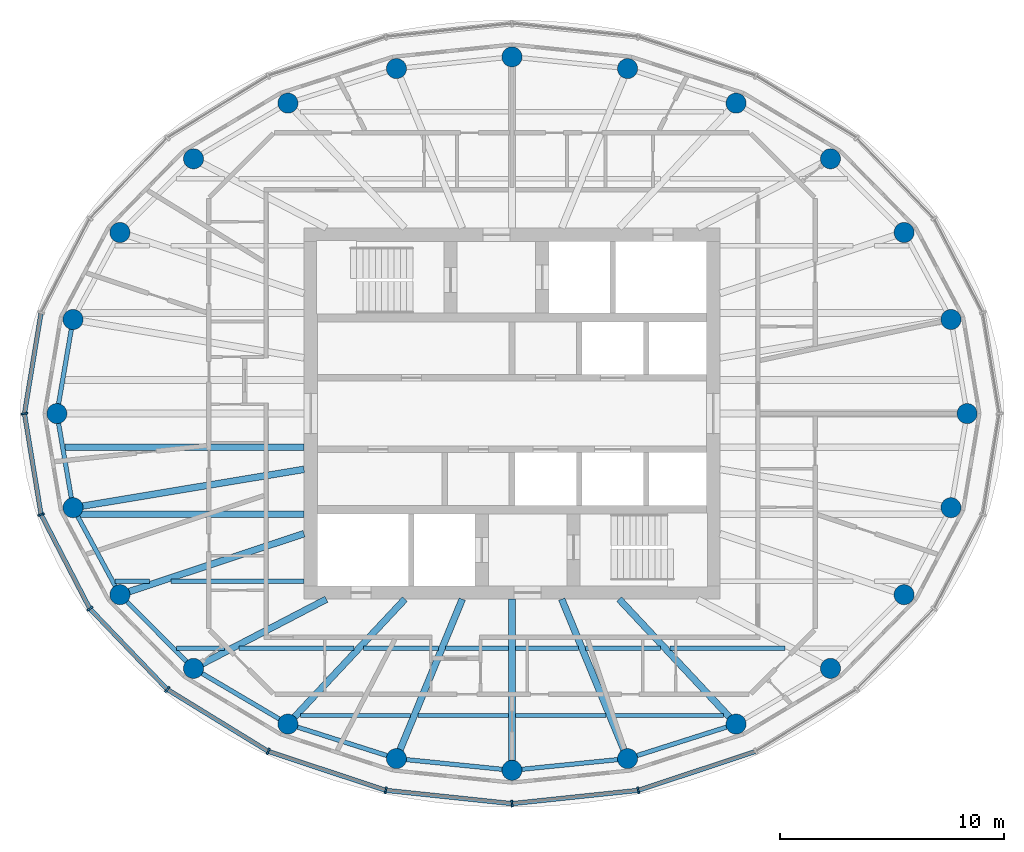
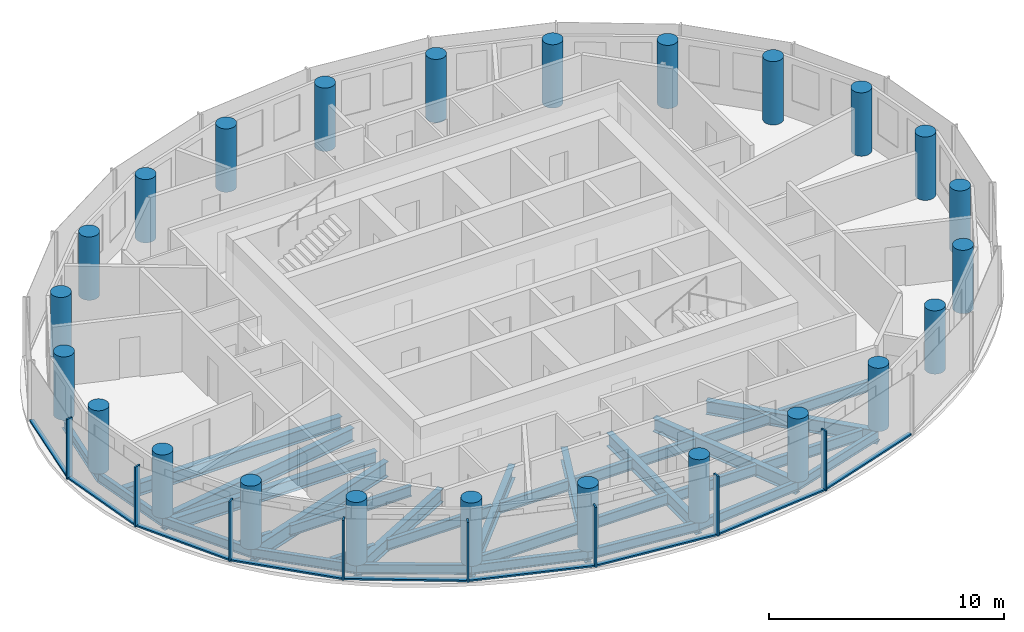
# One storey, part 1 of 11: 32 beams, 24 columns, 17 members, 3 elements without a shape of their own.
"""IFC4 building model written with IfcOpenShell, lengths in metres."""

from ifc_helpers import new_model, si_unit, direction, frame, origin, origin_2d, place, context, subcontext, project, spatial, rectangle, circle, i_section, extrude, material, material_profile, profile_set, type_object, element, aggregate, save


model = new_model("IFC4")

# Units and contexts
model_context = context("Model", 3, precision=1e-05, world=origin(), true_north=direction((0.0, 1.0)))
body_context = subcontext(model_context, "Body", "Model", "MODEL_VIEW")
ifc_project = project(units=[si_unit("LENGTHUNIT", "METRE"), si_unit("AREAUNIT", "SQUARE_METRE"), si_unit("VOLUMEUNIT", "CUBIC_METRE"), si_unit("PLANEANGLEUNIT", "RADIAN"), si_unit("MASSUNIT", "GRAM", prefix="KILO")], contexts=[model_context])

# Site, building, storey
site_placement = place(None, origin())
site = spatial("IfcSite", under=ifc_project, at=site_placement, CompositionType="ELEMENT")
building_placement = place(site_placement, origin())
building = spatial("IfcBuilding", under=site, at=building_placement, Name="Hankou Lantern Tower", CompositionType="ELEMENT")
storey_placement = place(building_placement, frame((0.0, 0.0, 202.800048828125)))
storey = spatial("IfcBuildingStorey", under=building, at=storey_placement, Name="L54", CompositionType="ELEMENT", Elevation=202.800048828125)

# Columns
ifc_material_1 = material(Name="Concrete C50", Category="concrete")
ifc_material_profile_1 = material_profile(ifc_material_1, circle(Radius=0.449951171875, at=origin_2d()), Name="RC D900")
ifc_profile_set_1 = profile_set([ifc_material_profile_1], Name="Concrete C50")
column_type = type_object("IfcColumnType", Name="TC5 PERIMETER COLUMN RC D900", PredefinedType="COLUMN", material=ifc_profile_set_1)
for number, where, z_axis, x_axis, name in (
    (1, (20.35009765625, 0.0, 0.0), (0.0, 0.0, 1.0), (1.0, 0.0, 0.0), "Column R01 L54"),
    (2, (19.629150390625, 4.207763671875, 0.0), (0.0, 0.0, 1.0), (1.0, 0.0, 0.0), "Column R02 L54"),
    (3, (17.5322265625, 8.097900390625, 0.0), (0.0, 0.0, 1.0), (1.0, 0.0, 0.0), "Column R03 L54"),
    (4, (14.241455078125, 11.393310546875, 0.0), (0.0, 0.0, 1.0), (1.0, 0.0, 0.0), "Column R04 L54"),
    (5, (10.01904296875, 13.8828125, 0.0), (0.0, 0.0, 1.0), (1.0, 0.0, 0.0), "Column R05 L54"),
    (6, (5.167236328125, 15.42724609375, 0.0), (0.0, 0.0, 1.0), (1.0, 0.0, 0.0), "Column R06 L54"),
    (7, (0.0, 15.949951171875, 0.0), (0.0, 0.0, 1.0), (1.0, 0.0, 0.0), "Column R07 L54"),
    (8, (-5.167236328125, 15.42724609375, 0.0), (0.0, 0.0, 1.0), (1.0, 0.0, 0.0), "Column R08 L54"),
    (9, (-10.01904296875, 13.8828125, 0.0), (0.0, 0.0, 1.0), (1.0, 0.0, 0.0), "Column R09 L54"),
    (10, (-14.241455078125, 11.393310546875, 0.0), (0.0, 0.0, 1.0), (1.0, 0.0, 0.0), "Column R10 L54"),
    (11, (-17.5322265625, 8.097900390625, 0.0), (0.0, 0.0, 1.0), (1.0, 0.0, 0.0), "Column R11 L54"),
    (12, (-19.629150390625, 4.207763671875, 0.0), (0.0, 0.0, 1.0), (1.0, 0.0, 0.0), "Column R12 L54"),
    (13, (-20.35009765625, 0.0, 0.0), (0.0, 0.0, 1.0), (1.0, 0.0, 0.0), "Column R13 L54"),
    (14, (-19.629150390625, -4.207763671875, 0.0), (0.0, 0.0, 1.0), (1.0, 0.0, 0.0), "Column R14 L54"),
    (15, (-17.5322265625, -8.097900390625, 0.0), (0.0, 0.0, 1.0), (1.0, 0.0, 0.0), "Column R15 L54"),
    (16, (-14.241455078125, -11.393310546875, 0.0), (0.0, 0.0, 1.0), (1.0, 0.0, 0.0), "Column R16 L54"),
    (17, (-10.01904296875, -13.8828125, 0.0), (0.0, 0.0, 1.0), (1.0, 0.0, 0.0), "Column R17 L54"),
    (18, (-5.167236328125, -15.42724609375, 0.0), (0.0, 0.0, 1.0), (1.0, 0.0, 0.0), "Column R18 L54"),
    (19, (0.0, -15.949951171875, 0.0), (0.0, 0.0, 1.0), (1.0, 0.0, 0.0), "Column R19 L54"),
    (20, (5.167236328125, -15.42724609375, 0.0), (0.0, 0.0, 1.0), (1.0, 0.0, 0.0), "Column R20 L54"),
    (21, (10.01904296875, -13.8828125, 0.0), (0.0, 0.0, 1.0), (1.0, 0.0, 0.0), "Column R21 L54"),
    (22, (14.241455078125, -11.393310546875, 0.0), (0.0, 0.0, 1.0), (1.0, 0.0, 0.0), "Column R22 L54"),
    (23, (17.5322265625, -8.097900390625, 0.0), (0.0, 0.0, 1.0), (1.0, 0.0, 0.0), "Column R23 L54"),
    (24, (19.629150390625, -4.207763671875, 0.0), (0.0, 0.0, 1.0), (1.0, 0.0, 0.0), "Column R24 L54"),
):
    element("IfcColumn", number, at=place(storey_placement, frame(where, z_axis=z_axis, x_axis=x_axis)), inside=storey, type_object=column_type, Name=name, PredefinedType="COLUMN", context=body_context, shape_type="SweptSolid", body=[
        extrude(circle(Radius=0.449951171875, at=origin_2d()), origin(), (0.0, 0.0, 1.0), 3.300048828125),
    ])

# Beams
ifc_material_2 = material(Name="Steel Q355B", Category="steel")
ifc_material_profile_2 = material_profile(ifc_material_2, i_section(OverallWidth=0.199951171875, OverallDepth=0.5, WebThickness=0.010009765625, FlangeThickness=0.01611328125, FilletRadius=0.012939453125, at=origin_2d()), Name="HN500x200x10x16")
ifc_profile_set_2 = profile_set([ifc_material_profile_2], Name="Steel Q355B")
beam_type_1 = type_object("IfcBeamType", Name="EB5 RING BEAM HN500x200x10x16", PredefinedType="SPANDREL", material=ifc_profile_set_2)
for number, where, z_axis, x_axis, name in (
    (25, (-19.629150390625, 4.207763671875, -0.429931640625), (-0.168876512999, -0.98563721691, 0.0), (0.98563721691, -0.168876512999, 0.0), "Ring beam R12-R13 L54"),
    (26, (-20.35009765625, 0.0, -0.429931640625), (0.168876512999, -0.98563721691, 0.0), (0.98563721691, 0.168876512999, 0.0), "Ring beam R13-R14 L54"),
):
    element("IfcBeam", number, at=place(storey_placement, frame(where, z_axis=z_axis, x_axis=x_axis)), inside=storey, type_object=beam_type_1, Name=name, PredefinedType="SPANDREL", context=body_context, shape_type="SweptSolid", body=[
        extrude(i_section(OverallWidth=0.199951171875, OverallDepth=0.5, WebThickness=0.010009765625, FlangeThickness=0.01611328125, FilletRadius=0.012939453125, at=origin_2d()), origin(), (0.0, 0.0, 1.0), 4.26904296875),
    ])
beam_1_placement = place(storey_placement, frame((-19.629150390625, -4.207763671875, -0.429931640625), z_axis=(0.474491806611, -0.880259919262, 0.0), x_axis=(0.880259919262, 0.474491806611, 0.0)))
element("IfcBeam", 27, at=beam_1_placement, inside=storey, type_object=beam_type_1, Name="Ring beam R14-R15 L54", PredefinedType="SPANDREL", context=body_context, shape_type="SweptSolid", body=[
    extrude(i_section(OverallWidth=0.199951171875, OverallDepth=0.5, WebThickness=0.010009765625, FlangeThickness=0.01611328125, FilletRadius=0.012939453125, at=origin_2d()), origin(), (0.0, 0.0, 1.0), 4.419189453125),
])
beam_2_placement = place(storey_placement, frame((-17.5322265625, -8.097900390625, -0.429931640625), z_axis=(0.706608588034, -0.707604623583, 0.0), x_axis=(0.707604623583, 0.706608588034, 0.0)))
element("IfcBeam", 28, at=beam_2_placement, inside=storey, type_object=beam_type_1, Name="Ring beam R15-R16 L54", PredefinedType="SPANDREL", context=body_context, shape_type="SweptSolid", body=[
    extrude(i_section(OverallWidth=0.199951171875, OverallDepth=0.5, WebThickness=0.010009765625, FlangeThickness=0.01611328125, FilletRadius=0.012939453125, at=origin_2d()), origin(), (0.0, 0.0, 1.0), 4.6572265625),
])
beam_3_placement = place(storey_placement, frame((-14.241455078125, -11.393310546875, -0.429931640625), z_axis=(0.861422897323, -0.507888365655, 0.0), x_axis=(0.507888365655, 0.861422897323, 0.0)))
element("IfcBeam", 29, at=beam_3_placement, inside=storey, type_object=beam_type_1, Name="Ring beam R16-R17 L54", PredefinedType="SPANDREL", context=body_context, shape_type="SweptSolid", body=[
    extrude(i_section(OverallWidth=0.199951171875, OverallDepth=0.5, WebThickness=0.010009765625, FlangeThickness=0.01611328125, FilletRadius=0.012939453125, at=origin_2d()), origin(), (0.0, 0.0, 1.0), 4.901611328125),
])
beam_4_placement = place(storey_placement, frame((-10.01904296875, -13.8828125, -0.429931640625), z_axis=(0.952887359315, -0.303324381574, 0.0), x_axis=(0.303324381574, 0.952887359315, 0.0)))
element("IfcBeam", 30, at=beam_4_placement, inside=storey, type_object=beam_type_1, Name="Ring beam R17-R18 L54", PredefinedType="SPANDREL", context=body_context, shape_type="SweptSolid", body=[
    extrude(i_section(OverallWidth=0.199951171875, OverallDepth=0.5, WebThickness=0.010009765625, FlangeThickness=0.01611328125, FilletRadius=0.012939453125, at=origin_2d()), origin(), (0.0, 0.0, 1.0), 5.091796875),
])
for number, where, z_axis, x_axis, name in (
    (31, (-5.167236328125, -15.42724609375, -0.429931640625), (0.994922507736, -0.100643944676, 0.0), (0.100643944676, 0.994922507736, 0.0), "Ring beam R18-R19 L54"),
    (32, (0.0, -15.949951171875, -0.429931640625), (0.994922507736, 0.100643944676, 0.0), (-0.100643944676, 0.994922507736, 0.0), "Ring beam R19-R20 L54"),
):
    element("IfcBeam", number, at=place(storey_placement, frame(where, z_axis=z_axis, x_axis=x_axis)), inside=storey, type_object=beam_type_1, Name=name, PredefinedType="SPANDREL", context=body_context, shape_type="SweptSolid", body=[
        extrude(i_section(OverallWidth=0.199951171875, OverallDepth=0.5, WebThickness=0.010009765625, FlangeThickness=0.01611328125, FilletRadius=0.012939453125, at=origin_2d()), origin(), (0.0, 0.0, 1.0), 5.193603515625),
    ])
beam_5_placement = place(storey_placement, frame((5.167236328125, -15.42724609375, -0.429931640625), z_axis=(0.952887359315, 0.303324381574, 0.0), x_axis=(-0.303324381574, 0.952887359315, 0.0)))
element("IfcBeam", 33, at=beam_5_placement, inside=storey, type_object=beam_type_1, Name="Ring beam R20-R21 L54", PredefinedType="SPANDREL", context=body_context, shape_type="SweptSolid", body=[
    extrude(i_section(OverallWidth=0.199951171875, OverallDepth=0.5, WebThickness=0.010009765625, FlangeThickness=0.01611328125, FilletRadius=0.012939453125, at=origin_2d()), origin(), (0.0, 0.0, 1.0), 5.091796875),
])

# Curtain wall, members
ifc_material_3 = material(Name="Glass, dark grey tinted laminated", Category="glass")
curtain_wall_type = type_object("IfcCurtainWallType", Name="CWD OUTER SKIN SUITE", PredefinedType="USERDEFINED", material=ifc_material_3)
curtain_wall_1_placement = place(storey_placement, origin())
curtain_wall_1 = element("IfcCurtainWall", 34, at=curtain_wall_1_placement, inside=storey, type_object=curtain_wall_type, Name="CWD L54 OS3", ObjectType="OUTER SKIN SUITE", PredefinedType="USERDEFINED")
ifc_material_4 = material(Name="Aluminium, black anodised", Category="aluminium")
ifc_material_profile_3 = material_profile(ifc_material_4, rectangle(XDim=0.080078125, YDim=0.300048828125, at=origin_2d()), Name="MU1 80X300")
ifc_profile_set_3 = profile_set([ifc_material_profile_3], Name="Aluminium, black anodised")
member_type_1 = type_object("IfcMemberType", Name="MU1 OUTER SKIN MULLION 80X300", PredefinedType="MULLION", material=ifc_profile_set_3)
member_1_placement = place(storey_placement, frame((-21.800048828125, 0.0, 0.0), z_axis=(0.0, 0.0, 1.0), x_axis=(0.162381515188, -0.986728049427, 0.0)))
member_1 = element("IfcMember", 35, at=member_1_placement, type_object=member_type_1, Name="CWD mullion 1", PredefinedType="MULLION", context=body_context, shape_type="SweptSolid", body=[
    extrude(rectangle(XDim=0.080078125, YDim=0.300048828125, at=origin_2d()), origin(), (0.0, 0.0, 1.0), 3.119873046875),
])
member_2_placement = place(storey_placement, frame((-21.05712890625, -4.513916015625, 0.0), z_axis=(0.0, 0.0, 1.0), x_axis=(0.317595577365, -0.94822626479, 0.0)))
member_2 = element("IfcMember", 36, at=member_2_placement, type_object=member_type_1, Name="CWD mullion 2", PredefinedType="MULLION", context=body_context, shape_type="SweptSolid", body=[
    extrude(rectangle(XDim=0.080078125, YDim=0.300048828125, at=origin_2d()), origin(), (0.0, 0.0, 1.0), 3.119873046875),
])
member_3_placement = place(storey_placement, frame((-18.87939453125, -8.719970703125, 0.0), z_axis=(0.0, 0.0, 1.0), x_axis=(0.585205735974, -0.810884854084, 0.0)))
member_3 = element("IfcMember", 37, at=member_3_placement, type_object=member_type_1, Name="CWD mullion 3", PredefinedType="MULLION", context=body_context, shape_type="SweptSolid", body=[
    extrude(rectangle(XDim=0.080078125, YDim=0.300048828125, at=origin_2d()), origin(), (0.0, 0.0, 1.0), 3.119873046875),
])
member_4_placement = place(storey_placement, frame((-15.4150390625, -12.33203125, 0.0), z_axis=(0.0, 0.0, 1.0), x_axis=(0.780868809444, -0.624695047553, 0.0)))
member_4 = element("IfcMember", 38, at=member_4_placement, type_object=member_type_1, Name="CWD mullion 4", PredefinedType="MULLION", context=body_context, shape_type="SweptSolid", body=[
    extrude(rectangle(XDim=0.080078125, YDim=0.300048828125, at=origin_2d()), origin(), (0.0, 0.0, 1.0), 3.119873046875),
])
member_5_placement = place(storey_placement, frame((-10.89990234375, -15.103515625, 0.0), z_axis=(0.0, 0.0, 1.0), x_axis=(0.907841299004, -0.419313934686, 0.0)))
member_5 = element("IfcMember", 39, at=member_5_placement, type_object=member_type_1, Name="CWD mullion 5", PredefinedType="MULLION", context=body_context, shape_type="SweptSolid", body=[
    extrude(rectangle(XDim=0.080078125, YDim=0.300048828125, at=origin_2d()), origin(), (0.0, 0.0, 1.0), 3.119873046875),
])
member_6_placement = place(storey_placement, frame((-5.642333984375, -16.845703125, 0.0), z_axis=(0.0, 0.0, 1.0), x_axis=(0.977787659625, -0.209597931016, 0.0)))
member_6 = element("IfcMember", 40, at=member_6_placement, type_object=member_type_1, Name="CWD mullion 6", PredefinedType="MULLION", context=body_context, shape_type="SweptSolid", body=[
    extrude(rectangle(XDim=0.080078125, YDim=0.300048828125, at=origin_2d()), origin(), (0.0, 0.0, 1.0), 3.119873046875),
])

curtain_wall_2_placement = place(storey_placement, origin())
curtain_wall_2 = element("IfcCurtainWall", 41, at=curtain_wall_2_placement, inside=storey, type_object=curtain_wall_type, Name="CWD L54 OS4", ObjectType="OUTER SKIN SUITE", PredefinedType="USERDEFINED")
member_7_placement = place(storey_placement, frame((0.0, -17.43994140625, 0.0), z_axis=(0.0, 0.0, 1.0), x_axis=(0.994499359107, 0.104742659579, 0.0)))
member_7 = element("IfcMember", 42, at=member_7_placement, type_object=member_type_1, Name="CWD mullion 1", PredefinedType="MULLION", context=body_context, shape_type="SweptSolid", body=[
    extrude(rectangle(XDim=0.080078125, YDim=0.300048828125, at=origin_2d()), origin(), (0.0, 0.0, 1.0), 3.119873046875),
])
member_8_placement = place(storey_placement, frame((5.642333984375, -16.845703125, 0.0), z_axis=(0.0, 0.0, 1.0), x_axis=(0.977787659625, 0.209597931016, 0.0)))
member_8 = element("IfcMember", 43, at=member_8_placement, type_object=member_type_1, Name="CWD mullion 2", PredefinedType="MULLION", context=body_context, shape_type="SweptSolid", body=[
    extrude(rectangle(XDim=0.080078125, YDim=0.300048828125, at=origin_2d()), origin(), (0.0, 0.0, 1.0), 3.119873046875),
])

# Beams
ifc_material_5 = material(Name="Steel Q355B", Category="steel")
ifc_material_profile_4 = material_profile(ifc_material_5, i_section(OverallWidth=0.300048828125, OverallDepth=0.800048828125, WebThickness=0.013916015625, FlangeThickness=0.02587890625, FilletRadius=0.01806640625, at=origin_2d()), Name="HN800x300x14x26")
ifc_profile_set_4 = profile_set([ifc_material_profile_4], Name="Steel Q355B")
beam_type_2 = type_object("IfcBeamType", Name="RB11 RADIAL BEAM HN800x300x14x26", PredefinedType="BEAM", material=ifc_profile_set_4)
beam_6_placement = place(storey_placement, frame((-9.300048828125, -5.369384765625, -0.580078125), z_axis=(-0.949219608576, -0.314614263337, 0.0), x_axis=(0.314614263337, -0.949219608576, 0.0)))
element("IfcBeam", 44, at=beam_6_placement, inside=storey, type_object=beam_type_2, Name="Radial beam R15 L54", PredefinedType="BEAM", context=body_context, shape_type="SweptSolid", body=[
    extrude(i_section(OverallWidth=0.300048828125, OverallDepth=0.800048828125, WebThickness=0.013916015625, FlangeThickness=0.02587890625, FilletRadius=0.01806640625, at=origin_2d()), origin(), (0.0, 0.0, 1.0), 8.672607421875),
])
ifc_material_6 = material(Name="Steel Q355B", Category="steel")
ifc_material_profile_5 = material_profile(ifc_material_6, i_section(OverallWidth=0.300048828125, OverallDepth=0.699951171875, WebThickness=0.012939453125, FlangeThickness=0.02392578125, FilletRadius=0.01806640625, at=origin_2d()), Name="HN700x300x13x24")
ifc_profile_set_5 = profile_set([ifc_material_profile_5], Name="Steel Q355B")
beam_type_3 = type_object("IfcBeamType", Name="RB9 RADIAL BEAM HN700x300x13x24", PredefinedType="BEAM", material=ifc_profile_set_5)
beam_7_placement = place(storey_placement, frame((-9.300048828125, -2.491943359375, -0.530029296875), z_axis=(-0.986482007061, -0.163869612027, 0.0), x_axis=(0.163869612027, -0.986482007061, 0.0)))
element("IfcBeam", 45, at=beam_7_placement, inside=storey, type_object=beam_type_3, Name="Radial beam R14 L54", PredefinedType="BEAM", context=body_context, shape_type="SweptSolid", body=[
    extrude(i_section(OverallWidth=0.300048828125, OverallDepth=0.699951171875, WebThickness=0.012939453125, FlangeThickness=0.02392578125, FilletRadius=0.01806640625, at=origin_2d()), origin(), (0.0, 0.0, 1.0), 10.470703125),
])
beam_8_placement = place(storey_placement, frame((-8.300048828125, -8.300048828125, -0.530029296875), z_axis=(-0.886988734783, -0.461791061378, 0.0), x_axis=(0.461791061378, -0.886988734783, 0.0)))
element("IfcBeam", 46, at=beam_8_placement, inside=storey, type_object=beam_type_3, Name="Radial beam R16 L54", PredefinedType="BEAM", context=body_context, shape_type="SweptSolid", body=[
    extrude(i_section(OverallWidth=0.300048828125, OverallDepth=0.699951171875, WebThickness=0.012939453125, FlangeThickness=0.02392578125, FilletRadius=0.01806640625, at=origin_2d()), origin(), (0.0, 0.0, 1.0), 6.698486328125),
])
beam_9_placement = place(storey_placement, frame((-4.7919921875, -8.300048828125, -0.530029296875), z_axis=(-0.68346844743, -0.729980055459, 0.0), x_axis=(0.729980055459, -0.68346844743, 0.0)))
element("IfcBeam", 47, at=beam_9_placement, inside=storey, type_object=beam_type_3, Name="Radial beam R17 L54", PredefinedType="BEAM", context=body_context, shape_type="SweptSolid", body=[
    extrude(i_section(OverallWidth=0.300048828125, OverallDepth=0.699951171875, WebThickness=0.012939453125, FlangeThickness=0.02392578125, FilletRadius=0.01806640625, at=origin_2d()), origin(), (0.0, 0.0, 1.0), 7.64794921875),
])
beam_10_placement = place(storey_placement, frame((-2.223876953125, -8.300048828125, -0.530029296875), z_axis=(-0.381706648123, -0.924283525104, 0.0), x_axis=(0.924283525104, -0.381706648123, 0.0)))
element("IfcBeam", 48, at=beam_10_placement, inside=storey, type_object=beam_type_3, Name="Radial beam R18 L54", PredefinedType="BEAM", context=body_context, shape_type="SweptSolid", body=[
    extrude(i_section(OverallWidth=0.300048828125, OverallDepth=0.699951171875, WebThickness=0.012939453125, FlangeThickness=0.02392578125, FilletRadius=0.01806640625, at=origin_2d()), origin(), (0.0, 0.0, 1.0), 7.7109375),
])
beam_11_placement = place(storey_placement, frame((0.0, -8.300048828125, -0.530029296875), z_axis=(0.0, -1.0, 0.0), x_axis=(1.0, 0.0, 0.0)))
element("IfcBeam", 49, at=beam_11_placement, inside=storey, type_object=beam_type_3, Name="Radial beam R19 L54", PredefinedType="BEAM", context=body_context, shape_type="SweptSolid", body=[
    extrude(i_section(OverallWidth=0.300048828125, OverallDepth=0.699951171875, WebThickness=0.012939453125, FlangeThickness=0.02392578125, FilletRadius=0.01806640625, at=origin_2d()), origin(), (0.0, 0.0, 1.0), 7.64990234375),
])
beam_12_placement = place(storey_placement, frame((2.223876953125, -8.300048828125, -0.530029296875), z_axis=(0.381706648123, -0.924283525104, 0.0), x_axis=(0.924283525104, 0.381706648123, 0.0)))
element("IfcBeam", 50, at=beam_12_placement, inside=storey, type_object=beam_type_3, Name="Radial beam R20 L54", PredefinedType="BEAM", context=body_context, shape_type="SweptSolid", body=[
    extrude(i_section(OverallWidth=0.300048828125, OverallDepth=0.699951171875, WebThickness=0.012939453125, FlangeThickness=0.02392578125, FilletRadius=0.01806640625, at=origin_2d()), origin(), (0.0, 0.0, 1.0), 7.7109375),
])
beam_13_placement = place(storey_placement, frame((4.7919921875, -8.300048828125, -0.530029296875), z_axis=(0.68346844743, -0.729980055459, 0.0), x_axis=(0.729980055459, 0.68346844743, 0.0)))
element("IfcBeam", 51, at=beam_13_placement, inside=storey, type_object=beam_type_3, Name="Radial beam R21 L54", PredefinedType="BEAM", context=body_context, shape_type="SweptSolid", body=[
    extrude(i_section(OverallWidth=0.300048828125, OverallDepth=0.699951171875, WebThickness=0.012939453125, FlangeThickness=0.02392578125, FilletRadius=0.01806640625, at=origin_2d()), origin(), (0.0, 0.0, 1.0), 7.64794921875),
])
ifc_material_7 = material(Name="Steel Q355B", Category="steel")
ifc_material_profile_6 = material_profile(ifc_material_7, i_section(OverallWidth=0.199951171875, OverallDepth=0.550048828125, WebThickness=0.010009765625, FlangeThickness=0.01611328125, FilletRadius=0.012939453125, at=origin_2d()), Name="HN550x200x10x16")
ifc_profile_set_6 = profile_set([ifc_material_profile_6], Name="Steel Q355B")
beam_type_4 = type_object("IfcBeamType", Name="SB6 SECONDARY BEAM HN550x200x10x16", PredefinedType="JOIST", material=ifc_profile_set_6)
beam_14_placement = place(storey_placement, frame((-9.455078125, -13.5, -0.455078125), z_axis=(1.0, 0.0, 0.0), x_axis=(0.0, 1.0, 0.0)))
element("IfcBeam", 52, at=beam_14_placement, inside=storey, type_object=beam_type_4, Name="Floor joist J001 L54", PredefinedType="JOIST", context=body_context, shape_type="SweptSolid", body=[
    extrude(i_section(OverallWidth=0.199951171875, OverallDepth=0.550048828125, WebThickness=0.010009765625, FlangeThickness=0.01611328125, FilletRadius=0.012939453125, at=origin_2d()), origin(), (0.0, 0.0, 1.0), 4.92138671875),
])
for number, where, z_axis, x_axis, name in (
    (53, (-4.208984375, -13.5, -0.455078125), (1.0, 0.0, 0.0), (0.0, 1.0, 0.0), "Floor joist J002 L54"),
    (54, (0.14990234375, -13.5, -0.455078125), (1.0, 0.0, 0.0), (0.0, 1.0, 0.0), "Floor joist J003 L54"),
):
    element("IfcBeam", number, at=place(storey_placement, frame(where, z_axis=z_axis, x_axis=x_axis)), inside=storey, type_object=beam_type_4, Name=name, PredefinedType="JOIST", context=body_context, shape_type="SweptSolid", body=[
        extrude(i_section(OverallWidth=0.199951171875, OverallDepth=0.550048828125, WebThickness=0.010009765625, FlangeThickness=0.01611328125, FilletRadius=0.012939453125, at=origin_2d()), origin(), (0.0, 0.0, 1.0), 4.05908203125),
    ])
beam_15_placement = place(storey_placement, frame((4.53369140625, -13.5, -0.455078125), z_axis=(1.0, 0.0, 0.0), x_axis=(0.0, 1.0, 0.0)))
element("IfcBeam", 55, at=beam_15_placement, inside=storey, type_object=beam_type_4, Name="Floor joist J004 L54", PredefinedType="JOIST", context=body_context, shape_type="SweptSolid", body=[
    extrude(i_section(OverallWidth=0.199951171875, OverallDepth=0.550048828125, WebThickness=0.010009765625, FlangeThickness=0.01611328125, FilletRadius=0.012939453125, at=origin_2d()), origin(), (0.0, 0.0, 1.0), 4.92138671875),
])
beam_16_placement = place(storey_placement, frame((-14.9921875, -10.5, -0.455078125), z_axis=(1.0, 0.0, 0.0), x_axis=(0.0, 1.0, 0.0)))
element("IfcBeam", 56, at=beam_16_placement, inside=storey, type_object=beam_type_4, Name="Floor joist J005 L54", PredefinedType="JOIST", context=body_context, shape_type="SweptSolid", body=[
    extrude(i_section(OverallWidth=0.199951171875, OverallDepth=0.550048828125, WebThickness=0.010009765625, FlangeThickness=0.01611328125, FilletRadius=0.012939453125, at=origin_2d()), origin(), (0.0, 0.0, 1.0), 2.1416015625),
])
beam_17_placement = place(storey_placement, frame((-12.200927734375, -10.5, -0.455078125), z_axis=(1.0, 0.0, 0.0), x_axis=(0.0, 1.0, 0.0)))
element("IfcBeam", 57, at=beam_17_placement, inside=storey, type_object=beam_type_4, Name="Floor joist J006 L54", PredefinedType="JOIST", context=body_context, shape_type="SweptSolid", body=[
    extrude(i_section(OverallWidth=0.199951171875, OverallDepth=0.550048828125, WebThickness=0.010009765625, FlangeThickness=0.01611328125, FilletRadius=0.012939453125, at=origin_2d()), origin(), (0.0, 0.0, 1.0), 5.1435546875),
])
beam_18_placement = place(storey_placement, frame((-6.646240234375, -10.5, -0.455078125), z_axis=(1.0, 0.0, 0.0), x_axis=(0.0, 1.0, 0.0)))
element("IfcBeam", 58, at=beam_18_placement, inside=storey, type_object=beam_type_4, Name="Floor joist J007 L54", PredefinedType="JOIST", context=body_context, shape_type="SweptSolid", body=[
    extrude(i_section(OverallWidth=0.199951171875, OverallDepth=0.550048828125, WebThickness=0.010009765625, FlangeThickness=0.01611328125, FilletRadius=0.012939453125, at=origin_2d()), origin(), (0.0, 0.0, 1.0), 3.3515625),
])
for number, where, z_axis, x_axis, name in (
    (59, (-2.97021484375, -10.5, -0.455078125), (1.0, 0.0, 0.0), (0.0, 1.0, 0.0), "Floor joist J008 L54"),
    (60, (0.14990234375, -10.5, -0.455078125), (1.0, 0.0, 0.0), (0.0, 1.0, 0.0), "Floor joist J009 L54"),
):
    element("IfcBeam", number, at=place(storey_placement, frame(where, z_axis=z_axis, x_axis=x_axis)), inside=storey, type_object=beam_type_4, Name=name, PredefinedType="JOIST", context=body_context, shape_type="SweptSolid", body=[
        extrude(i_section(OverallWidth=0.199951171875, OverallDepth=0.550048828125, WebThickness=0.010009765625, FlangeThickness=0.01611328125, FilletRadius=0.012939453125, at=origin_2d()), origin(), (0.0, 0.0, 1.0), 2.8203125),
    ])
beam_19_placement = place(storey_placement, frame((3.294677734375, -10.5, -0.455078125), z_axis=(1.0, 0.0, 0.0), x_axis=(0.0, 1.0, 0.0)))
element("IfcBeam", 61, at=beam_19_placement, inside=storey, type_object=beam_type_4, Name="Floor joist J010 L54", PredefinedType="JOIST", context=body_context, shape_type="SweptSolid", body=[
    extrude(i_section(OverallWidth=0.199951171875, OverallDepth=0.550048828125, WebThickness=0.010009765625, FlangeThickness=0.01611328125, FilletRadius=0.012939453125, at=origin_2d()), origin(), (0.0, 0.0, 1.0), 3.3515625),
])
beam_20_placement = place(storey_placement, frame((7.057373046875, -10.5, -0.455078125), z_axis=(1.0, 0.0, 0.0), x_axis=(0.0, 1.0, 0.0)))
element("IfcBeam", 62, at=beam_20_placement, inside=storey, type_object=beam_type_4, Name="Floor joist J011 L54", PredefinedType="JOIST", context=body_context, shape_type="SweptSolid", body=[
    extrude(i_section(OverallWidth=0.199951171875, OverallDepth=0.550048828125, WebThickness=0.010009765625, FlangeThickness=0.01611328125, FilletRadius=0.012939453125, at=origin_2d()), origin(), (0.0, 0.0, 1.0), 5.1435546875),
])
beam_21_placement = place(storey_placement, frame((-17.740966796875, -7.5, -0.455078125), z_axis=(1.0, 0.0, 0.0), x_axis=(0.0, 1.0, 0.0)))
element("IfcBeam", 63, at=beam_21_placement, inside=storey, type_object=beam_type_4, Name="Floor joist J013 L54", PredefinedType="JOIST", context=body_context, shape_type="SweptSolid", body=[
    extrude(i_section(OverallWidth=0.199951171875, OverallDepth=0.550048828125, WebThickness=0.010009765625, FlangeThickness=0.01611328125, FilletRadius=0.012939453125, at=origin_2d()), origin(), (0.0, 0.0, 1.0), 1.53564453125),
])
beam_22_placement = place(storey_placement, frame((-15.251708984375, -7.5, -0.455078125), z_axis=(1.0, 0.0, 0.0), x_axis=(0.0, 1.0, 0.0)))
element("IfcBeam", 64, at=beam_22_placement, inside=storey, type_object=beam_type_4, Name="Floor joist J014 L54", PredefinedType="JOIST", context=body_context, shape_type="SweptSolid", body=[
    extrude(i_section(OverallWidth=0.199951171875, OverallDepth=0.550048828125, WebThickness=0.010009765625, FlangeThickness=0.01611328125, FilletRadius=0.012939453125, at=origin_2d()), origin(), (0.0, 0.0, 1.0), 5.95166015625),
])
ifc_material_8 = material(Name="Steel Q355B", Category="steel")
ifc_material_profile_7 = material_profile(ifc_material_8, i_section(OverallWidth=0.300048828125, OverallDepth=0.64990234375, WebThickness=0.010986328125, FlangeThickness=0.01708984375, FilletRadius=0.01806640625, at=origin_2d()), Name="HN650x300x11x17")
ifc_profile_set_7 = profile_set([ifc_material_profile_7], Name="Steel Q355B")
beam_type_5 = type_object("IfcBeamType", Name="SB8 SECONDARY BEAM HN650x300x11x17", PredefinedType="JOIST", material=ifc_profile_set_7)
beam_23_placement = place(storey_placement, frame((-19.35791015625, -4.5, -0.505126953125), z_axis=(1.0, 0.0, 0.0), x_axis=(0.0, 1.0, 0.0)))
element("IfcBeam", 65, at=beam_23_placement, inside=storey, type_object=beam_type_5, Name="Floor joist J017 L54", PredefinedType="JOIST", context=body_context, shape_type="SweptSolid", body=[
    extrude(i_section(OverallWidth=0.300048828125, OverallDepth=0.64990234375, WebThickness=0.010986328125, FlangeThickness=0.01708984375, FilletRadius=0.01806640625, at=origin_2d()), origin(), (0.0, 0.0, 1.0), 10.057861328125),
])
beam_24_placement = place(storey_placement, frame((-19.991455078125, -1.5, -0.505126953125), z_axis=(1.0, 0.0, 0.0), x_axis=(0.0, 1.0, 0.0)))
element("IfcBeam", 66, at=beam_24_placement, inside=storey, type_object=beam_type_5, Name="Floor joist J019 L54", PredefinedType="JOIST", context=body_context, shape_type="SweptSolid", body=[
    extrude(i_section(OverallWidth=0.300048828125, OverallDepth=0.64990234375, WebThickness=0.010986328125, FlangeThickness=0.01708984375, FilletRadius=0.01806640625, at=origin_2d()), origin(), (0.0, 0.0, 1.0), 10.69140625),
])

# Curtain wall, member
curtain_wall_3_placement = place(storey_placement, origin())
curtain_wall_3 = element("IfcCurtainWall", 67, at=curtain_wall_3_placement, inside=storey, type_object=curtain_wall_type, Name="CWD L54 OS2", ObjectType="OUTER SKIN SUITE", PredefinedType="USERDEFINED")
ifc_material_9 = material(Name="Aluminium, black anodised", Category="aluminium")
ifc_material_profile_8 = material_profile(ifc_material_9, rectangle(XDim=0.199951171875, YDim=0.080078125, at=origin_2d()), Name="TR1 200X80")
ifc_profile_set_8 = profile_set([ifc_material_profile_8], Name="Aluminium, black anodised")
member_type_2 = type_object("IfcMemberType", Name="TR1 OUTER SKIN TRANSOM 200X80", PredefinedType="USERDEFINED", material=ifc_profile_set_8)
member_9_placement = place(storey_placement, frame((-21.063720703125, 4.474365234375, 0.0400390625), z_axis=(-0.162363822839, -0.986730960816, 0.0), x_axis=(0.986730960816, -0.162363822839, 0.0)))
member_9 = element("IfcMember", 68, at=member_9_placement, type_object=member_type_2, Name="CWD transom 6", ObjectType="TRANSOM", PredefinedType="USERDEFINED", context=body_context, shape_type="SweptSolid", body=[
    extrude(rectangle(XDim=0.199951171875, YDim=0.080078125, at=origin_2d()), origin(), (0.0, 0.0, 1.0), 4.494384765625),
])
aggregate(curtain_wall_3, [member_9])

# Member
member_10_placement = place(storey_placement, frame((-21.79345703125, -0.03955078125, 0.0400390625), z_axis=(0.162363822839, -0.986730960816, 0.0), x_axis=(0.986730960816, 0.162363822839, 0.0)))
member_10 = element("IfcMember", 69, at=member_10_placement, type_object=member_type_2, Name="CWD transom 1", ObjectType="TRANSOM", PredefinedType="USERDEFINED", context=body_context, shape_type="SweptSolid", body=[
    extrude(rectangle(XDim=0.199951171875, YDim=0.080078125, at=origin_2d()), origin(), (0.0, 0.0, 1.0), 4.494384765625),
])

member_11_placement = place(storey_placement, frame((-21.038818359375, -4.54931640625, 0.0400390625), z_axis=(0.45979371115, -0.888025755925, 0.0), x_axis=(0.888025755925, 0.45979371115, 0.0)))
member_11 = element("IfcMember", 70, at=member_11_placement, type_object=member_type_2, Name="CWD transom 2", ObjectType="TRANSOM", PredefinedType="USERDEFINED", context=body_context, shape_type="SweptSolid", body=[
    extrude(rectangle(XDim=0.199951171875, YDim=0.080078125, at=origin_2d()), origin(), (0.0, 0.0, 1.0), 4.65673828125),
])

member_12_placement = place(storey_placement, frame((-18.8515625, -8.748779296875, 0.0400390625), z_axis=(0.692204633274, -0.721701285626, 0.0), x_axis=(0.721701285626, 0.692204633274, 0.0)))
member_12 = element("IfcMember", 71, at=member_12_placement, type_object=member_type_2, Name="CWD transom 3", ObjectType="TRANSOM", PredefinedType="USERDEFINED", context=body_context, shape_type="SweptSolid", body=[
    extrude(rectangle(XDim=0.199951171875, YDim=0.080078125, at=origin_2d()), origin(), (0.0, 0.0, 1.0), 4.9248046875),
])

member_13_placement = place(storey_placement, frame((-15.380859375, -12.352783203125, 0.0400390625), z_axis=(0.852234544008, -0.523159900986, 0.0), x_axis=(0.523159900986, 0.852234544008, 0.0)))
member_13 = element("IfcMember", 72, at=member_13_placement, type_object=member_type_2, Name="CWD transom 4", ObjectType="TRANSOM", PredefinedType="USERDEFINED", context=body_context, shape_type="SweptSolid", body=[
    extrude(rectangle(XDim=0.199951171875, YDim=0.080078125, at=origin_2d()), origin(), (0.0, 0.0, 1.0), 5.2177734375),
])

member_14_placement = place(storey_placement, frame((-10.862060546875, -15.115966796875, 0.0400390625), z_axis=(0.949231947668, -0.314577032739, 0.0), x_axis=(0.314577032739, 0.949231947668, 0.0)))
member_14 = element("IfcMember", 73, at=member_14_placement, type_object=member_type_2, Name="CWD transom 5", ObjectType="TRANSOM", PredefinedType="USERDEFINED", context=body_context, shape_type="SweptSolid", body=[
    extrude(rectangle(XDim=0.199951171875, YDim=0.080078125, at=origin_2d()), origin(), (0.0, 0.0, 1.0), 5.458984375),
])

member_15_placement = place(storey_placement, frame((-5.6025390625, -16.849853515625, 0.0400390625), z_axis=(0.994498275726, -0.104752945435, 0.0), x_axis=(0.104752945435, 0.994498275726, 0.0)))
member_15 = element("IfcMember", 74, at=member_15_placement, type_object=member_type_2, Name="CWD transom 6", ObjectType="TRANSOM", PredefinedType="USERDEFINED", context=body_context, shape_type="SweptSolid", body=[
    extrude(rectangle(XDim=0.199951171875, YDim=0.080078125, at=origin_2d()), origin(), (0.0, 0.0, 1.0), 5.593505859375),
])

aggregate(curtain_wall_1, [member_1, member_2, member_3, member_4, member_5, member_6, member_10, member_11, member_12, member_13, member_14, member_15])

member_16_placement = place(storey_placement, frame((0.039794921875, -17.435791015625, 0.0400390625), z_axis=(0.994498275726, 0.104752945435, 0.0), x_axis=(-0.104752945435, 0.994498275726, 0.0)))
member_16 = element("IfcMember", 75, at=member_16_placement, type_object=member_type_2, Name="CWD transom 1", ObjectType="TRANSOM", PredefinedType="USERDEFINED", context=body_context, shape_type="SweptSolid", body=[
    extrude(rectangle(XDim=0.199951171875, YDim=0.080078125, at=origin_2d()), origin(), (0.0, 0.0, 1.0), 5.593505859375),
])

member_17_placement = place(storey_placement, frame((5.68017578125, -16.833251953125, 0.0400390625), z_axis=(0.949231947668, 0.314577032739, 0.0), x_axis=(-0.314577032739, 0.949231947668, 0.0)))
member_17 = element("IfcMember", 76, at=member_17_placement, type_object=member_type_2, Name="CWD transom 2", ObjectType="TRANSOM", PredefinedType="USERDEFINED", context=body_context, shape_type="SweptSolid", body=[
    extrude(rectangle(XDim=0.199951171875, YDim=0.080078125, at=origin_2d()), origin(), (0.0, 0.0, 1.0), 5.458984375),
])

aggregate(curtain_wall_2, [member_7, member_8, member_16, member_17])

save(model, "model.ifc")
